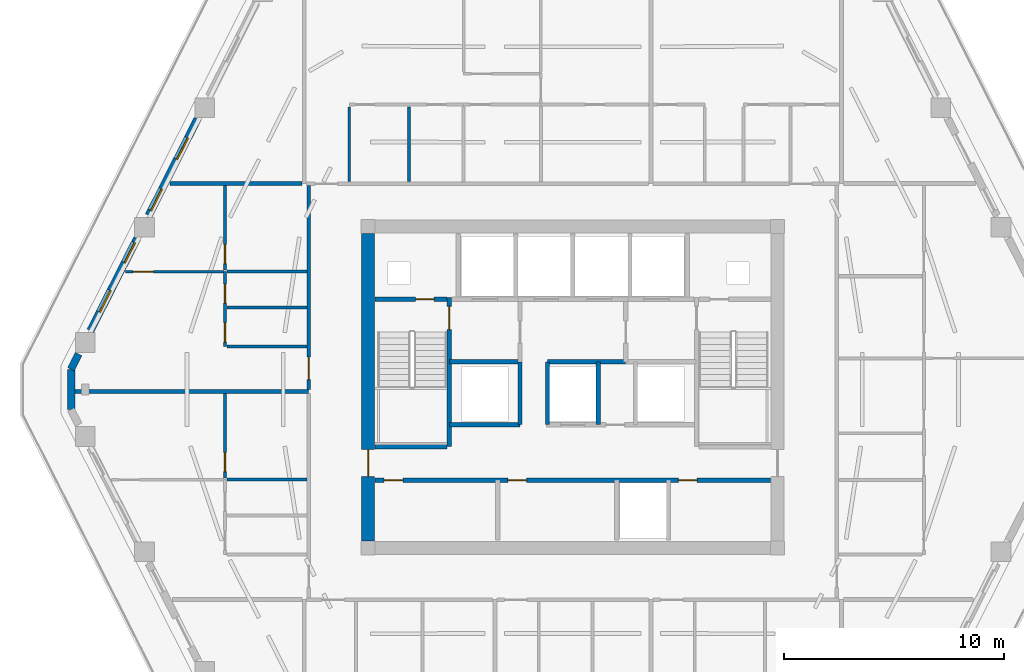
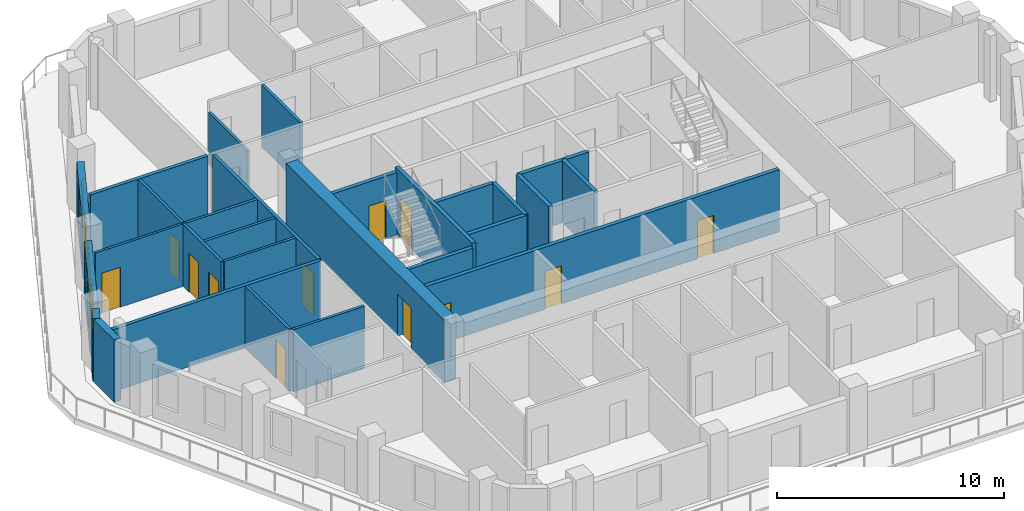
# One storey, part 4 of 10: 28 walls, 12 doors, 4 windows, 16 openings.
"""IFC4 building model written with IfcOpenShell, lengths in metres."""

import ifcopenshell
import ifcopenshell.guid

model = None  # the IFC model being written
_history = None  # IfcOwnerHistory: only IFC2X3 demands one
_inside = {}  # id of a spatial element -> (the spatial element, [elements in it])
_under = {}  # id of a project, library or spatial element -> (it, [spatial elements below it])
_declared = {}  # id of a project -> (the project, [libraries it declares])
_typed = {}  # id of a type object -> (the type object, [elements of that type])
_made_of = {}  # id of a material, layer set ... -> (it, [elements and type objects made of it])


def new_model(schema):
    """Start an empty IFC model of exactly this schema.

    Asked for "IFC4X3", IfcOpenShell would pick the latest addendum, in which some entities
    have other attributes; the version numbers below select the first issue.
    IFC2X3 requires an IfcOwnerHistory on every rooted entity: one is made here for all.
    """
    global model, _history
    if schema == "IFC4X3":
        model = ifcopenshell.file(schema_version=(4, 3, 0, 0))
    else:
        model = ifcopenshell.file(schema=schema)
    _inside.clear()
    _under.clear()
    _declared.clear()
    _typed.clear()
    _made_of.clear()
    _history = None
    if model.schema == "IFC2X3":
        org = make("IfcOrganization", Name="unknown")
        user = make(
            "IfcPersonAndOrganization",
            ThePerson=make("IfcPerson", FamilyName="unknown"),
            TheOrganization=org,
        )
        app = make(
            "IfcApplication",
            ApplicationDeveloper=org,
            Version="unknown",
            ApplicationFullName="unknown",
            ApplicationIdentifier="unknown",
        )
        _history = make(
            "IfcOwnerHistory",
            OwningUser=user,
            OwningApplication=app,
            ChangeAction="ADDED",
            CreationDate=0,
        )
    return model


def make(cls, **values):
    """One entity of the class cls with the attributes given. An attribute that is None is left unset."""
    return model.create_entity(
        cls, **{name: value for name, value in values.items() if value is not None}
    )


def rooted(cls, **values):
    """An entity with a GlobalId (a new one), such as an element, a storey or a relation."""
    return make(cls, GlobalId=ifcopenshell.guid.new(), OwnerHistory=_history, **values)


def si_unit(unit_type, name, prefix=None):
    """IfcSIUnit, for example si_unit("LENGTHUNIT", "METRE", prefix="MILLI")."""
    return make("IfcSIUnit", UnitType=unit_type, Prefix=prefix, Name=name)


def assignment(units):
    """IfcUnitAssignment: the units of a project."""
    return None if units is None else make("IfcUnitAssignment", Units=units)


def point(xyz):
    """IfcCartesianPoint."""
    return None if xyz is None else make("IfcCartesianPoint", Coordinates=xyz)


def direction(xyz):
    """IfcDirection."""
    return None if xyz is None else make("IfcDirection", DirectionRatios=xyz)


def frame(location, z_axis=None, x_axis=None):
    """IfcAxis2Placement3D, a coordinate frame: its origin and axes. An axis left out is left unset."""
    return make(
        "IfcAxis2Placement3D",
        Location=point(location),
        Axis=direction(z_axis),
        RefDirection=direction(x_axis),
    )


def frame_2d(location, x_axis=None):
    """IfcAxis2Placement2D, a coordinate frame in the plane: its origin and x axis."""
    return make(
        "IfcAxis2Placement2D", Location=point(location), RefDirection=direction(x_axis)
    )


def origin():
    """The frame at (0, 0, 0) with its axes left unset."""
    return frame((0.0, 0.0, 0.0))


def place(relative_to, where):
    """IfcLocalPlacement: puts the frame where relative to a parent placement (None: the world)."""
    return make(
        "IfcLocalPlacement", PlacementRelTo=relative_to, RelativePlacement=where
    )


def context(
    kind, dimensions, precision=None, world=None, true_north=None, identifier=None
):
    """IfcGeometricRepresentationContext, for example the 3D "Model" context."""
    return make(
        "IfcGeometricRepresentationContext",
        ContextIdentifier=identifier,
        ContextType=kind,
        CoordinateSpaceDimension=dimensions,
        Precision=precision,
        WorldCoordinateSystem=world,
        TrueNorth=true_north,
    )


def subcontext(parent, identifier, kind, view, scale=None):
    """IfcGeometricRepresentationSubContext, for example "Body" below "Model"."""
    return make(
        "IfcGeometricRepresentationSubContext",
        ContextIdentifier=identifier,
        ContextType=kind,
        ParentContext=parent,
        TargetScale=scale,
        TargetView=view,
    )


def project(units=None, contexts=None):
    """IfcProject with its units and contexts."""
    return rooted(
        "IfcProject",
        Name="project",
        RepresentationContexts=contexts,
        UnitsInContext=assignment(units),
    )


def spatial(cls, under=None, at=None, **own):
    """A site, building, storey or space (cls), placed at a placement, below another one or the project."""
    s = rooted(cls, ObjectPlacement=at, **own)
    if under is not None:
        _under.setdefault(under.id(), (under, []))[1].append(s)
    return s


def profile(cls, at=None, kind="AREA", **sizes):
    """A parametric profile (cls). Its sizes go by their IFC names, for example OverallWidth=200.0."""
    return make(cls, ProfileType=kind, Position=at, **sizes)


def rectangle(**sizes):
    """IfcRectangleProfileDef."""
    return profile("IfcRectangleProfileDef", **sizes)


def extrude(swept, where, along, depth):
    """IfcExtrudedAreaSolid: the profile swept, set in the frame where, extruded along a direction by depth."""
    return make(
        "IfcExtrudedAreaSolid",
        SweptArea=swept,
        Position=where,
        ExtrudedDirection=direction(along),
        Depth=depth,
    )


def shape(context_of_items, identifier, shape_type, items):
    """IfcShapeRepresentation: the items that make up one representation, for example the "Body"."""
    return make(
        "IfcShapeRepresentation",
        ContextOfItems=context_of_items,
        RepresentationIdentifier=identifier,
        RepresentationType=shape_type,
        Items=items,
    )


def material(Name=None, Category=None):
    """IfcMaterial."""
    return make("IfcMaterial", Name=Name, Category=Category)


def layer(
    of_material, thickness, ventilated=None, Name=None, Category=None, Priority=None
):
    """IfcMaterialLayer: one layer of a wall or slab, of a material (None: an air gap)."""
    return make(
        "IfcMaterialLayer",
        Material=of_material,
        LayerThickness=thickness,
        IsVentilated=ventilated,
        Name=Name,
        Category=Category,
        Priority=Priority,
    )


def layer_set(layers, Name=None):
    """IfcMaterialLayerSet."""
    return make("IfcMaterialLayerSet", MaterialLayers=layers, LayerSetName=Name)


def made_of(thing, what):
    """Note that an element or type object is made of a material, layer set ...; save() writes the relation."""
    if what is not None:
        _made_of.setdefault(what.id(), (what, []))[1].append(thing)
    return thing


def type_object(cls, material=None, **own):
    """A type object (cls), such as IfcWallType, which elements share."""
    return made_of(rooted(cls, **own), material)


def element(
    cls,
    number,
    at=None,
    inside=None,
    cuts=None,
    type_object=None,
    material=None,
    context=None,
    identifier="Body",
    shape_type=None,
    held_by="IfcProductDefinitionShape",
    body=None,
    shapes=None,
    **own,
):
    """One element of the class cls, such as IfcWall. Its Tag is "e" and its number.

    at: its placement. inside: the storey or other place that contains it. cuts: it is an
    opening in that element (IfcRelVoidsElement). A single representation is given by context,
    identifier, shape_type and body (its items); several are given by shapes. held_by: the class
    of the entity that holds the representations. save() writes the other relations.
    """
    e = rooted(cls, Tag="e%d" % number, ObjectPlacement=at, **own)
    if body is not None:
        shapes = [shape(context, identifier, shape_type, body)]
    if shapes is not None:
        e.Representation = make(held_by, Representations=shapes)
    if inside is not None:
        _inside.setdefault(inside.id(), (inside, []))[1].append(e)
    if cuts is not None:
        rooted(
            "IfcRelVoidsElement", RelatingBuildingElement=cuts, RelatedOpeningElement=e
        )
    if type_object is not None:
        _typed.setdefault(type_object.id(), (type_object, []))[1].append(e)
    return made_of(e, material)


def fill(opening, filler):
    """IfcRelFillsElement: the door or window that sits in an opening."""
    return rooted(
        "IfcRelFillsElement",
        RelatingOpeningElement=opening,
        RelatedBuildingElement=filler,
    )


def aggregate(whole, parts):
    """IfcRelAggregates: a whole, such as a stair, and the parts it consists of."""
    return rooted("IfcRelAggregates", RelatingObject=whole, RelatedObjects=parts)


def save(model, path):
    """Write the relations noted so far, then the file.

    IfcRelAggregates (storeys below a building ...), IfcRelContainedInSpatialStructure (elements
    in a storey), IfcRelDefinesByType, IfcRelAssociatesMaterial and IfcRelDeclares: one each for
    every whole, place, type object, material and project.
    """
    for whole, parts in _under.values():
        aggregate(whole, parts)
    for where, things in _inside.values():
        rooted(
            "IfcRelContainedInSpatialStructure",
            RelatedElements=things,
            RelatingStructure=where,
        )
    for kind, things in _typed.values():
        rooted("IfcRelDefinesByType", RelatedObjects=things, RelatingType=kind)
    for what, things in _made_of.values():
        rooted("IfcRelAssociatesMaterial", RelatedObjects=things, RelatingMaterial=what)
    for by, libraries in _declared.values():
        rooted("IfcRelDeclares", RelatingContext=by, RelatedDefinitions=libraries)
    model.write(path)


model = new_model("IFC4")

# Units and contexts
model_context = context("Model", 3, precision=1e-05, world=origin(), true_north=direction((0.0, 1.0)))
body_context = subcontext(model_context, "Body", "Model", "MODEL_VIEW")
ifc_project = project(units=[si_unit("LENGTHUNIT", "METRE"), si_unit("AREAUNIT", "SQUARE_METRE"), si_unit("VOLUMEUNIT", "CUBIC_METRE"), si_unit("PLANEANGLEUNIT", "RADIAN"), si_unit("MASSUNIT", "GRAM", prefix="KILO")], contexts=[model_context])

# Site, building, storey
site_placement = place(None, origin())
site = spatial("IfcSite", under=ifc_project, at=site_placement, CompositionType="ELEMENT")
building_placement = place(site_placement, origin())
building = spatial("IfcBuilding", under=site, at=building_placement, Name="Cinnabar Lancet Tower", CompositionType="ELEMENT")
storey_placement = place(building_placement, frame((0.0, 0.0, 171.89990234375)))
storey = spatial("IfcBuildingStorey", under=building, at=storey_placement, Name="L45", CompositionType="ELEMENT", Elevation=171.89990234375)

# Wall, opening, door
ifc_material_1 = material(Name="Acoustic twin-stud gypsum partition", Category="gypsum")
ifc_layer_1 = layer(ifc_material_1, 0.159912109375)
ifc_layer_set_1 = layer_set([ifc_layer_1], Name="Acoustic twin-stud gypsum partition")
wall_type_1 = type_object("IfcWallType", Name="ARC-WL-CORR-160", PredefinedType="PARTITIONING", material=ifc_layer_set_1)
wall_1_placement = place(storey_placement, frame((20.39990234375, 25.794921875, 0.0), z_axis=(0.0, 0.0, 1.0), x_axis=(0.0, 1.0, 0.0)))
wall_1 = element("IfcWall", 1, at=wall_1_placement, inside=storey, type_object=wall_type_1, Name="UW-L45-W02-COR", PredefinedType="PARTITIONING", context=body_context, shape_type="SweptSolid", body=[
    extrude(rectangle(XDim=9.260009765625, YDim=0.159912109375, at=frame_2d((4.6298828125, 0.0))), origin(), (0.0, 0.0, 1.0), 3.35009765625),
])
opening_1_placement = place(wall_1_placement, frame((0.449951171875, 0.0, 0.0)))
opening_1 = element("IfcOpeningElement", 2, at=opening_1_placement, cuts=wall_1, Name="Opening UD-01", PredefinedType="OPENING", context=body_context, shape_type="SweptSolid", body=[
    extrude(rectangle(XDim=1.02001953125, YDim=2.25, at=frame_2d((0.510009765625, 1.125))), frame((0.0, 0.08984375, 0.0), z_axis=(0.0, -1.0, 0.0), x_axis=(1.0, 0.0, 0.0)), (0.0, 0.0, 1.0), 0.179931640625),
])
ifc_material_2 = material(Name="Solid timber fire-rated apartment entrance door", Category="wood")
door_type_1 = type_object("IfcDoorType", Name="ARC-DR-UNIT", OperationType="NOTDEFINED", PredefinedType="DOOR", material=ifc_material_2)
door_1_placement = place(opening_1_placement, origin())
door_1 = element("IfcDoor", 3, at=door_1_placement, inside=storey, type_object=door_type_1, Name="DR-L45-W02-ENT", OperationType="SINGLE_SWING_RIGHT", OverallHeight=2.25, OverallWidth=1.02001953125, PredefinedType="DOOR", context=body_context, shape_type="SweptSolid", body=[
    extrude(rectangle(XDim=1.02001953125, YDim=2.25, at=frame_2d((0.510009765625, 1.125))), frame((0.0, 0.02490234375, 0.0), z_axis=(0.0, -1.0, 0.0), x_axis=(1.0, 0.0, 0.0)), (0.0, 0.0, 1.0), 0.050048828125),
])
fill(opening_1, door_1)

# Walls
ifc_material_3 = material(Name="Fire-rated twin-frame acoustic drywall", Category="gypsum")
ifc_layer_2 = layer(ifc_material_3, 0.179931640625)
ifc_layer_set_2 = layer_set([ifc_layer_2], Name="Fire-rated twin-frame acoustic drywall")
wall_type_2 = type_object("IfcWallType", Name="ARC-WL-PARTY-180", PredefinedType="PARTITIONING", material=ifc_layer_set_2)
wall_2_placement = place(storey_placement, frame((14.110107421875, 35.14990234375, 0.0), z_axis=(0.0, 0.0, 1.0), x_axis=(1.0, 0.0, 0.0)))
element("IfcWall", 4, at=wall_2_placement, inside=storey, type_object=wall_type_2, Name="PW-L45-WNB", PredefinedType="PARTITIONING", context=body_context, shape_type="SweptSolid", body=[
    extrude(rectangle(XDim=5.994873046875, YDim=0.179931640625, at=frame_2d((2.99755859375, 0.0))), origin(), (0.0, 0.0, 1.0), 3.35009765625),
])
wall_3_placement = place(storey_placement, frame((9.797119140625, 25.699951171875, 0.0), z_axis=(0.0, 0.0, 1.0), x_axis=(1.0, 0.0, 0.0)))
element("IfcWall", 5, at=wall_3_placement, inside=storey, type_object=wall_type_2, Name="PW-L45-WPTY-1", PredefinedType="PARTITIONING", context=body_context, shape_type="SweptSolid", body=[
    extrude(rectangle(XDim=10.602783203125, YDim=0.179931640625, at=frame_2d((5.30126953125, 0.0))), origin(), (0.0, 0.0, 1.0), 3.35009765625),
])
ifc_material_4 = material(Name="Autoclaved aerated concrete blockwork", Category="masonry")
ifc_layer_3 = layer(ifc_material_4, 0.199951171875)
ifc_layer_set_3 = layer_set([ifc_layer_3], Name="Autoclaved aerated concrete blockwork")
wall_type_3 = type_object("IfcWallType", Name="ARC-WL-SHAFT-200", PredefinedType="PLUMBINGWALL", material=ifc_layer_set_3)
wall_4_placement = place(storey_placement, frame((23.405029296875, 23.199951171875, 0.0), z_axis=(0.0, 0.0, 1.0), x_axis=(1.0, 0.0, 0.0)))
element("IfcWall", 6, at=wall_4_placement, inside=storey, type_object=wall_type_3, Name="CW-ST1S-L45", PredefinedType="PLUMBINGWALL", context=body_context, shape_type="SweptSolid", body=[
    extrude(rectangle(XDim=3.27001953125, YDim=0.199951171875, at=frame_2d((1.635009765625, 0.0))), origin(), (0.0, 0.0, 1.0), 3.35009765625),
])

# Wall, opening, door
wall_5_placement = place(storey_placement, frame((23.405029296875, 29.89990234375, 0.0), z_axis=(0.0, 0.0, 1.0), x_axis=(1.0, 0.0, 0.0)))
wall_5 = element("IfcWall", 7, at=wall_5_placement, inside=storey, type_object=wall_type_3, Name="CW-NSH-W-L45", PredefinedType="PLUMBINGWALL", context=body_context, shape_type="SweptSolid", body=[
    extrude(rectangle(XDim=3.27001953125, YDim=0.199951171875, at=frame_2d((1.635009765625, 0.0))), origin(), (0.0, 0.0, 1.0), 3.35009765625),
])
opening_2_placement = place(wall_5_placement, frame((1.85009765625, 0.0, 0.0)))
opening_2 = element("IfcOpeningElement", 8, at=opening_2_placement, cuts=wall_5, Name="Opening PD-02", PredefinedType="OPENING", context=body_context, shape_type="SweptSolid", body=[
    extrude(rectangle(XDim=0.85009765625, YDim=2.050048828125, at=frame_2d((0.425048828125, 1.02490234375))), frame((0.0, 0.10986328125, 0.0), z_axis=(0.0, -1.0, 0.0), x_axis=(1.0, 0.0, 0.0)), (0.0, 0.0, 1.0), 0.219970703125),
])
ifc_material_5 = material(Name="Fire-rated steel riser access door", Category="steel")
door_type_2 = type_object("IfcDoorType", Name="ARC-DR-RISER", OperationType="NOTDEFINED", PredefinedType="DOOR", material=ifc_material_5)
door_2_placement = place(opening_2_placement, origin())
door_2 = element("IfcDoor", 9, at=door_2_placement, inside=storey, type_object=door_type_2, Name="L45 West Riser Access Door", OperationType="SINGLE_SWING_LEFT", OverallHeight=2.050048828125, OverallWidth=0.85009765625, PredefinedType="DOOR", context=body_context, shape_type="SweptSolid", body=[
    extrude(rectangle(XDim=0.85009765625, YDim=2.050048828125, at=frame_2d((0.425048828125, 1.02490234375))), frame((0.0, 0.02490234375, 0.0), z_axis=(0.0, -1.0, 0.0), x_axis=(1.0, 0.0, 0.0)), (0.0, 0.0, 1.0), 0.050048828125),
])
fill(opening_2, door_2)

# Walls
for number, where, z_axis, x_axis, name in (
    (10, (26.800048828125, 27.050048828125, 0.0), (0.0, 0.0, 1.0), (1.0, 0.0, 0.0), "CW-FF1S-L45"),
    (11, (26.800048828125, 24.199951171875, 0.0), (0.0, 0.0, 1.0), (1.0, 0.0, 0.0), "CW-PL5S-L45"),
):
    element("IfcWall", number, at=place(storey_placement, frame(where, z_axis=z_axis, x_axis=x_axis)), inside=storey, type_object=wall_type_3, Name=name, PredefinedType="PLUMBINGWALL", context=body_context, shape_type="SweptSolid", body=[
        extrude(rectangle(XDim=3.199951171875, YDim=0.199951171875, at=frame_2d((1.60009765625, 0.0))), origin(), (0.0, 0.0, 1.0), 3.35009765625),
    ])
for number, where, z_axis, x_axis, name in (
    (12, (30.0, 24.199951171875, 0.0), (0.0, 0.0, 1.0), (0.0, 1.0, 0.0), "CW-PL5E-L45"),
    (13, (31.25, 24.199951171875, 0.0), (0.0, 0.0, 1.0), (0.0, 1.0, 0.0), "CW-PL9W-L45"),
    (14, (33.550048828125, 24.199951171875, 0.0), (0.0, 0.0, 1.0), (0.0, 1.0, 0.0), "CW-PL9E-L45"),
):
    element("IfcWall", number, at=place(storey_placement, frame(where, z_axis=z_axis, x_axis=x_axis)), inside=storey, type_object=wall_type_3, Name=name, PredefinedType="PLUMBINGWALL", context=body_context, shape_type="SweptSolid", body=[
        extrude(rectangle(XDim=2.85009765625, YDim=0.199951171875, at=frame_2d((1.425048828125, 0.0))), origin(), (0.0, 0.0, 1.0), 3.35009765625),
    ])
wall_6_placement = place(storey_placement, frame((31.25, 27.050048828125, 0.0), z_axis=(0.0, 0.0, 1.0), x_axis=(1.0, 0.0, 0.0)))
element("IfcWall", 15, at=wall_6_placement, inside=storey, type_object=wall_type_3, Name="CW-PL96N-L45", PredefinedType="PLUMBINGWALL", context=body_context, shape_type="SweptSolid", body=[
    extrude(rectangle(XDim=3.550048828125, YDim=0.199951171875, at=frame_2d((1.77490234375, 0.0))), origin(), (0.0, 0.0, 1.0), 3.35009765625),
])

# Wall, openings, doors
wall_7_placement = place(storey_placement, frame((23.419921875, 21.679931640625, 0.0), z_axis=(0.0, 0.0, 1.0), x_axis=(1.0, 0.0, 0.0)))
wall_7 = element("IfcWall", 16, at=wall_7_placement, inside=storey, type_object=wall_type_3, Name="CW-SBANDN-L45", PredefinedType="PLUMBINGWALL", context=body_context, shape_type="SweptSolid", body=[
    extrude(rectangle(XDim=17.9599609375, YDim=0.199951171875, at=frame_2d((8.97998046875, 0.0))), origin(), (0.0, 0.0, 1.0), 3.35009765625),
])
opening_3_placement = place(wall_7_placement, frame((0.409912109375, 0.0, 0.0)))
opening_3 = element("IfcOpeningElement", 17, at=opening_3_placement, cuts=wall_7, Name="Opening PD-02", PredefinedType="OPENING", context=body_context, shape_type="SweptSolid", body=[
    extrude(rectangle(XDim=0.85009765625, YDim=2.050048828125, at=frame_2d((0.425048828125, 1.02490234375))), frame((0.0, 0.10986328125, 0.0), z_axis=(0.0, -1.0, 0.0), x_axis=(1.0, 0.0, 0.0)), (0.0, 0.0, 1.0), 0.219970703125),
])
opening_4_placement = place(wall_7_placement, frame((6.030029296875, 0.0, 0.0)))
opening_4 = element("IfcOpeningElement", 18, at=opening_4_placement, cuts=wall_7, Name="Opening PD-02", PredefinedType="OPENING", context=body_context, shape_type="SweptSolid", body=[
    extrude(rectangle(XDim=0.85009765625, YDim=2.050048828125, at=frame_2d((0.425048828125, 1.02490234375))), frame((0.0, 0.10986328125, 0.0), z_axis=(0.0, -1.0, 0.0), x_axis=(1.0, 0.0, 0.0)), (0.0, 0.0, 1.0), 0.219970703125),
])
opening_5_placement = place(wall_7_placement, frame((13.780029296875, 0.0, 0.0)))
opening_5 = element("IfcOpeningElement", 19, at=opening_5_placement, cuts=wall_7, Name="Opening PD-02", PredefinedType="OPENING", context=body_context, shape_type="SweptSolid", body=[
    extrude(rectangle(XDim=0.85009765625, YDim=2.050048828125, at=frame_2d((0.425048828125, 1.02490234375))), frame((0.0, 0.10986328125, 0.0), z_axis=(0.0, -1.0, 0.0), x_axis=(1.0, 0.0, 0.0)), (0.0, 0.0, 1.0), 0.219970703125),
])
door_3_placement = place(opening_3_placement, origin())
door_3 = element("IfcDoor", 20, at=door_3_placement, inside=storey, type_object=door_type_2, Name="DR-L45-MREC1", OperationType="SINGLE_SWING_LEFT", OverallHeight=2.050048828125, OverallWidth=0.85009765625, PredefinedType="DOOR", context=body_context, shape_type="SweptSolid", body=[
    extrude(rectangle(XDim=0.85009765625, YDim=2.050048828125, at=frame_2d((0.425048828125, 1.02490234375))), frame((0.0, 0.02490234375, 0.0), z_axis=(0.0, -1.0, 0.0), x_axis=(1.0, 0.0, 0.0)), (0.0, 0.0, 1.0), 0.050048828125),
])
fill(opening_3, door_3)
door_4_placement = place(opening_4_placement, origin())
door_4 = element("IfcDoor", 21, at=door_4_placement, inside=storey, type_object=door_type_2, Name="DR-L45-MREC2", OperationType="SINGLE_SWING_RIGHT", OverallHeight=2.050048828125, OverallWidth=0.85009765625, PredefinedType="DOOR", context=body_context, shape_type="SweptSolid", body=[
    extrude(rectangle(XDim=0.85009765625, YDim=2.050048828125, at=frame_2d((0.425048828125, 1.02490234375))), frame((0.0, 0.02490234375, 0.0), z_axis=(0.0, -1.0, 0.0), x_axis=(1.0, 0.0, 0.0)), (0.0, 0.0, 1.0), 0.050048828125),
])
fill(opening_4, door_4)
door_5_placement = place(opening_5_placement, origin())
door_5 = element("IfcDoor", 22, at=door_5_placement, inside=storey, type_object=door_type_2, Name="DR-L45-MREC3", OperationType="SINGLE_SWING_LEFT", OverallHeight=2.050048828125, OverallWidth=0.85009765625, PredefinedType="DOOR", context=body_context, shape_type="SweptSolid", body=[
    extrude(rectangle(XDim=0.85009765625, YDim=2.050048828125, at=frame_2d((0.425048828125, 1.02490234375))), frame((0.0, 0.02490234375, 0.0), z_axis=(0.0, -1.0, 0.0), x_axis=(1.0, 0.0, 0.0)), (0.0, 0.0, 1.0), 0.050048828125),
])
fill(opening_5, door_5)

# Walls
ifc_material_6 = material(Name="Gypsum plasterboard stud partition", Category="gypsum")
ifc_layer_4 = layer(ifc_material_6, 0.125)
ifc_layer_set_4 = layer_set([ifc_layer_4], Name="Gypsum plasterboard stud partition")
wall_type_4 = type_object("IfcWallType", Name="ARC-WL-UNIT-125", PredefinedType="PARTITIONING", material=ifc_layer_set_4)
wall_8_placement = place(storey_placement, frame((22.25, 35.235107421875, 0.0), z_axis=(0.0, 0.0, 1.0), x_axis=(0.0, 1.0, 0.0)))
element("IfcWall", 23, at=wall_8_placement, inside=storey, type_object=wall_type_4, Name="UW-L45-N01-FOYE", PredefinedType="PARTITIONING", context=body_context, shape_type="SweptSolid", body=[
    extrude(rectangle(XDim=3.40478515625, YDim=0.125, at=frame_2d((1.702392578125, 0.0))), origin(), (0.0, 0.0, 1.0), 2.80712890625),
])
wall_9_placement = place(storey_placement, frame((16.68505859375, 27.75, 0.0), z_axis=(0.0, 0.0, 1.0), x_axis=(1.0, 0.0, 0.0)))
element("IfcWall", 24, at=wall_9_placement, inside=storey, type_object=wall_type_4, Name="UW-L45-W02-FOYN", PredefinedType="PARTITIONING", context=body_context, shape_type="SweptSolid", body=[
    extrude(rectangle(XDim=3.6298828125, YDim=0.125, at=frame_2d((1.81494140625, 0.0))), origin(), (0.0, 0.0, 1.0), 3.35009765625),
])

# Wall, opening, door
wall_10_placement = place(storey_placement, frame((12.071044921875, 31.14990234375, 0.0), z_axis=(0.0, 0.0, 1.0), x_axis=(1.0, 0.0, 0.0)))
wall_10 = element("IfcWall", 25, at=wall_10_placement, inside=storey, type_object=wall_type_4, Name="UW-L45-W02-MBN", PredefinedType="PARTITIONING", context=body_context, shape_type="SweptSolid", body=[
    extrude(rectangle(XDim=4.453857421875, YDim=0.125, at=frame_2d((2.22705078125, 0.0))), origin(), (0.0, 0.0, 1.0), 3.35009765625),
])
opening_6_placement = place(wall_10_placement, frame((0.35009765625, 0.0, 0.0)))
opening_6 = element("IfcOpeningElement", 26, at=opening_6_placement, cuts=wall_10, Name="Opening RD-01", PredefinedType="OPENING", context=body_context, shape_type="SweptSolid", body=[
    extrude(rectangle(XDim=0.919921875, YDim=2.14990234375, at=frame_2d((0.4599609375, 1.074951171875))), frame((0.0, 0.072509765625, 0.0), z_axis=(0.0, -1.0, 0.0), x_axis=(1.0, 0.0, 0.0)), (0.0, 0.0, 1.0), 0.14501953125),
])
ifc_material_7 = material(Name="Engineered timber bedroom door", Category="wood")
door_type_3 = type_object("IfcDoorType", Name="ARC-DR-ROOM", OperationType="NOTDEFINED", PredefinedType="DOOR", material=ifc_material_7)
door_6_placement = place(opening_6_placement, origin())
door_6 = element("IfcDoor", 27, at=door_6_placement, inside=storey, type_object=door_type_3, Name="DR-L45-W02-MBD", OperationType="SINGLE_SWING_RIGHT", OverallHeight=2.14990234375, OverallWidth=0.919921875, PredefinedType="DOOR", context=body_context, shape_type="SweptSolid", body=[
    extrude(rectangle(XDim=0.919921875, YDim=2.14990234375, at=frame_2d((0.4599609375, 1.074951171875))), frame((0.0, 0.02490234375, 0.0), z_axis=(0.0, -1.0, 0.0), x_axis=(1.0, 0.0, 0.0)), (0.0, 0.0, 1.0), 0.050048828125),
])
fill(opening_6, door_6)

# Wall
ifc_material_8 = material(Name="Moisture-resistant cement-board plumbing wall", Category="masonry")
ifc_layer_5 = layer(ifc_material_8, 0.139892578125)
ifc_layer_set_5 = layer_set([ifc_layer_5], Name="Moisture-resistant cement-board plumbing wall")
wall_type_5 = type_object("IfcWallType", Name="ARC-WL-WET-140", PredefinedType="PLUMBINGWALL", material=ifc_layer_set_5)
wall_11_placement = place(storey_placement, frame((24.949951171875, 35.235107421875, 0.0), z_axis=(0.0, 0.0, 1.0), x_axis=(0.0, 1.0, 0.0)))
element("IfcWall", 28, at=wall_11_placement, inside=storey, type_object=wall_type_5, Name="UW-L45-N01-KDV", PredefinedType="PLUMBINGWALL", context=body_context, shape_type="SweptSolid", body=[
    extrude(rectangle(XDim=3.40478515625, YDim=0.139892578125, at=frame_2d((1.702392578125, 0.0))), origin(), (0.0, 0.0, 1.0), 3.35009765625),
])

# Wall, opening, door
wall_12_placement = place(storey_placement, frame((16.60009765625, 21.77001953125, 0.0), z_axis=(0.0, 0.0, 1.0), x_axis=(0.0, 1.0, 0.0)))
wall_12 = element("IfcWall", 29, at=wall_12_placement, inside=storey, type_object=wall_type_5, Name="UW-L45-W01-SPM", PredefinedType="PLUMBINGWALL", context=body_context, shape_type="SweptSolid", body=[
    extrude(rectangle(XDim=3.8349609375, YDim=0.139892578125, at=frame_2d((1.91748046875, 0.0))), origin(), (0.0, 0.0, 1.0), 3.35009765625),
])
opening_7_placement = place(wall_12_placement, frame((0.300048828125, 0.0, 0.0)))
opening_7 = element("IfcOpeningElement", 30, at=opening_7_placement, cuts=wall_12, Name="Opening BD-01", PredefinedType="OPENING", context=body_context, shape_type="SweptSolid", body=[
    extrude(rectangle(XDim=0.860107421875, YDim=2.10009765625, at=frame_2d((0.43017578125, 1.050048828125))), frame((0.0, 0.079833984375, 0.0), z_axis=(0.0, -1.0, 0.0), x_axis=(1.0, 0.0, 0.0)), (0.0, 0.0, 1.0), 0.159912109375),
])
ifc_material_9 = material(Name="Moisture-resistant timber bathroom door", Category="wood")
door_type_4 = type_object("IfcDoorType", Name="ARC-DR-BATH", OperationType="NOTDEFINED", PredefinedType="DOOR", material=ifc_material_9)
door_7_placement = place(opening_7_placement, origin())
door_7 = element("IfcDoor", 31, at=door_7_placement, inside=storey, type_object=door_type_4, Name="DR-L45-W01-ENS", OperationType="SINGLE_SWING_LEFT", OverallHeight=2.10009765625, OverallWidth=0.860107421875, PredefinedType="DOOR", context=body_context, shape_type="SweptSolid", body=[
    extrude(rectangle(XDim=0.860107421875, YDim=2.10009765625, at=frame_2d((0.43017578125, 1.050048828125))), frame((0.0, 0.02490234375, 0.0), z_axis=(0.0, -1.0, 0.0), x_axis=(1.0, 0.0, 0.0)), (0.0, 0.0, 1.0), 0.050048828125),
])
fill(opening_7, door_7)

# Wall
wall_13_placement = place(storey_placement, frame((16.68505859375, 21.699951171875, 0.0), z_axis=(0.0, 0.0, 1.0), x_axis=(1.0, 0.0, 0.0)))
element("IfcWall", 32, at=wall_13_placement, inside=storey, type_object=wall_type_5, Name="UW-L45-W01-ENSN", PredefinedType="PLUMBINGWALL", context=body_context, shape_type="SweptSolid", body=[
    extrude(rectangle(XDim=3.6298828125, YDim=0.139892578125, at=frame_2d((1.81494140625, 0.0))), origin(), (0.0, 0.0, 1.0), 3.35009765625),
])

# Wall, openings, doors
wall_14_placement = place(storey_placement, frame((16.60009765625, 27.75, 0.0), z_axis=(0.0, 0.0, 1.0), x_axis=(0.0, 1.0, 0.0)))
wall_14 = element("IfcWall", 33, at=wall_14_placement, inside=storey, type_object=wall_type_5, Name="UW-L45-W02-SPL", PredefinedType="PLUMBINGWALL", context=body_context, shape_type="SweptSolid", body=[
    extrude(rectangle(XDim=3.39990234375, YDim=0.139892578125, at=frame_2d((1.699951171875, 0.0))), origin(), (0.0, 0.0, 1.0), 3.35009765625),
])
opening_8_placement = place(wall_14_placement, frame((0.199951171875, 0.0, 0.0)))
opening_8 = element("IfcOpeningElement", 34, at=opening_8_placement, cuts=wall_14, Name="Opening RD-02", PredefinedType="OPENING", context=body_context, shape_type="SweptSolid", body=[
    extrude(rectangle(XDim=0.8798828125, YDim=2.14990234375, at=frame_2d((0.43994140625, 1.074951171875))), frame((0.0, 0.079833984375, 0.0), z_axis=(0.0, -1.0, 0.0), x_axis=(1.0, 0.0, 0.0)), (0.0, 0.0, 1.0), 0.159912109375),
])
opening_9_placement = place(wall_14_placement, frame((1.968017578125, 0.0, 0.0)))
opening_9 = element("IfcOpeningElement", 35, at=opening_9_placement, cuts=wall_14, Name="Opening BD-01", PredefinedType="OPENING", context=body_context, shape_type="SweptSolid", body=[
    extrude(rectangle(XDim=0.860107421875, YDim=2.10009765625, at=frame_2d((0.43017578125, 1.050048828125))), frame((0.0, 0.079833984375, 0.0), z_axis=(0.0, -1.0, 0.0), x_axis=(1.0, 0.0, 0.0)), (0.0, 0.0, 1.0), 0.159912109375),
])
door_8_placement = place(opening_9_placement, origin())
door_8 = element("IfcDoor", 36, at=door_8_placement, inside=storey, type_object=door_type_4, Name="DR-L45-W02-BTH", OperationType="SINGLE_SWING_RIGHT", OverallHeight=2.10009765625, OverallWidth=0.860107421875, PredefinedType="DOOR", context=body_context, shape_type="SweptSolid", body=[
    extrude(rectangle(XDim=0.860107421875, YDim=2.10009765625, at=frame_2d((0.43017578125, 1.050048828125))), frame((0.0, 0.02490234375, 0.0), z_axis=(0.0, -1.0, 0.0), x_axis=(1.0, 0.0, 0.0)), (0.0, 0.0, 1.0), 0.050048828125),
])
fill(opening_9, door_8)
ifc_material_10 = material(Name="Engineered timber study door", Category="wood")
door_type_5 = type_object("IfcDoorType", Name="ARC-DR-STUDY", OperationType="NOTDEFINED", PredefinedType="DOOR", material=ifc_material_10)
door_9_placement = place(opening_8_placement, origin())
door_9 = element("IfcDoor", 37, at=door_9_placement, inside=storey, type_object=door_type_5, Name="DR-L45-W02-KIT", OperationType="SINGLE_SWING_LEFT", OverallHeight=2.14990234375, OverallWidth=0.8798828125, PredefinedType="DOOR", context=body_context, shape_type="SweptSolid", body=[
    extrude(rectangle(XDim=0.8798828125, YDim=2.14990234375, at=frame_2d((0.43994140625, 1.074951171875))), frame((0.0, 0.02490234375, 0.0), z_axis=(0.0, -1.0, 0.0), x_axis=(1.0, 0.0, 0.0)), (0.0, 0.0, 1.0), 0.050048828125),
])
fill(opening_8, door_9)

# Wall, opening, door
wall_15_placement = place(storey_placement, frame((16.60009765625, 31.219970703125, 0.0), z_axis=(0.0, 0.0, 1.0), x_axis=(0.0, 1.0, 0.0)))
wall_15 = element("IfcWall", 38, at=wall_15_placement, inside=storey, type_object=wall_type_5, Name="UW-L45-W02-SPM", PredefinedType="PLUMBINGWALL", context=body_context, shape_type="SweptSolid", body=[
    extrude(rectangle(XDim=3.8349609375, YDim=0.139892578125, at=frame_2d((1.91748046875, 0.0))), origin(), (0.0, 0.0, 1.0), 3.35009765625),
])
opening_10_placement = place(wall_15_placement, frame((0.300048828125, 0.0, 0.0)))
opening_10 = element("IfcOpeningElement", 39, at=opening_10_placement, cuts=wall_15, Name="Opening BD-01", PredefinedType="OPENING", context=body_context, shape_type="SweptSolid", body=[
    extrude(rectangle(XDim=0.860107421875, YDim=2.10009765625, at=frame_2d((0.43017578125, 1.050048828125))), frame((0.0, 0.079833984375, 0.0), z_axis=(0.0, -1.0, 0.0), x_axis=(1.0, 0.0, 0.0)), (0.0, 0.0, 1.0), 0.159912109375),
])
door_10_placement = place(opening_10_placement, origin())
door_10 = element("IfcDoor", 40, at=door_10_placement, inside=storey, type_object=door_type_4, Name="DR-L45-W02-ENS", OperationType="SINGLE_SWING_RIGHT", OverallHeight=2.10009765625, OverallWidth=0.860107421875, PredefinedType="DOOR", context=body_context, shape_type="SweptSolid", body=[
    extrude(rectangle(XDim=0.860107421875, YDim=2.10009765625, at=frame_2d((0.43017578125, 1.050048828125))), frame((0.0, 0.02490234375, 0.0), z_axis=(0.0, -1.0, 0.0), x_axis=(1.0, 0.0, 0.0)), (0.0, 0.0, 1.0), 0.050048828125),
])
fill(opening_10, door_10)

# Walls
for number, where, z_axis, x_axis, name in (
    (41, (16.68505859375, 31.14990234375, 0.0), (0.0, 0.0, 1.0), (1.0, 0.0, 0.0), "UW-L45-W02-ENSN"),
    (42, (16.68505859375, 29.51806640625, 0.0), (0.0, 0.0, 1.0), (1.0, 0.0, 0.0), "UW-L45-W02-KDV"),
):
    element("IfcWall", number, at=place(storey_placement, frame(where, z_axis=z_axis, x_axis=x_axis)), inside=storey, type_object=wall_type_5, Name=name, PredefinedType="PLUMBINGWALL", context=body_context, shape_type="SweptSolid", body=[
        extrude(rectangle(XDim=3.6298828125, YDim=0.139892578125, at=frame_2d((1.81494140625, 0.0))), origin(), (0.0, 0.0, 1.0), 3.35009765625),
    ])
ifc_material_11 = material(Name="Cinnabar red clay brick", Category="masonry")
ifc_layer_6 = layer(ifc_material_11, 0.340087890625)
ifc_layer_set_6 = layer_set([ifc_layer_6], Name="Cinnabar red clay brick")
wall_type_6 = type_object("IfcWallType", Name="ENV-WL-BRK-RED-340", PredefinedType="STANDARD", material=ifc_layer_set_6)
wall_16_placement = place(storey_placement, frame((9.6220703125, 26.7080078125, 0.0), z_axis=(0.0, 0.0, 1.0), x_axis=(0.0, -1.0, 0.0)))
element("IfcWall", 43, at=wall_16_placement, inside=storey, type_object=wall_type_6, Name="L45 Chamfered Corner Brick Pier 6.1", PredefinedType="STANDARD", context=body_context, shape_type="SweptSolid", body=[
    extrude(rectangle(XDim=1.81591796875, YDim=0.340087890625, at=frame_2d((0.907958984375, 0.0))), origin(), (0.0, 0.0, 1.0), 3.35009765625),
])

# Wall, openings, windows
wall_17_placement = place(storey_placement, frame((15.35205078125, 38.0830078125, 0.0), z_axis=(0.0, 0.0, 1.0), x_axis=(-0.451524246964, -0.89225884944, 0.0)))
wall_17 = element("IfcWall", 44, at=wall_17_placement, inside=storey, type_object=wall_type_6, Name="L45 Face 5 Masonry Bay Wall 3", PredefinedType="STANDARD", context=body_context, shape_type="SweptSolid", body=[
    extrude(rectangle(XDim=4.91015625, YDim=0.340087890625, at=frame_2d((2.455078125, 0.0))), origin(), (0.0, 0.0, 1.0), 2.883056640625),
])
opening_11_placement = place(wall_17_placement, frame((0.962890625, 0.0, 0.75)))
opening_11 = element("IfcOpeningElement", 45, at=opening_11_placement, cuts=wall_17, Name="Opening WN-04", PredefinedType="OPENING", context=body_context, shape_type="SweptSolid", body=[
    extrude(rectangle(XDim=1.10009765625, YDim=1.98291015625, at=frame_2d((0.550048828125, 0.991455078125))), frame((0.0, 0.179931640625, 0.0), z_axis=(0.0, -1.0, 0.0), x_axis=(1.0, 0.0, 0.0)), (0.0, 0.0, 1.0), 0.360107421875),
])
opening_12_placement = place(wall_17_placement, frame((3.569091796875, 0.0, 0.75)))
opening_12 = element("IfcOpeningElement", 46, at=opening_12_placement, cuts=wall_17, Name="Opening WN-04", PredefinedType="OPENING", context=body_context, shape_type="SweptSolid", body=[
    extrude(rectangle(XDim=1.10009765625, YDim=1.98291015625, at=frame_2d((0.550048828125, 0.991455078125))), frame((0.0, 0.179931640625, 0.0), z_axis=(0.0, -1.0, 0.0), x_axis=(1.0, 0.0, 0.0)), (0.0, 0.0, 1.0), 0.360107421875),
])
ifc_material_12 = material(Name="Thermally broken bronze-anodized aluminium tall lancet window", Category="aluminium")
window_type = type_object("IfcWindowType", Name="ENV-WN-LANCET-1100", PartitioningType="SINGLE_PANEL", PredefinedType="WINDOW", material=ifc_material_12)
window_1_placement = place(opening_11_placement, origin())
window_1 = element("IfcWindow", 47, at=window_1_placement, inside=storey, type_object=window_type, Name="L45 Face 5 Gothic Lancet Window 3", OverallHeight=1.98291015625, OverallWidth=1.10009765625, PartitioningType="SINGLE_PANEL", PredefinedType="WINDOW", context=body_context, shape_type="SweptSolid", body=[
    extrude(rectangle(XDim=1.10009765625, YDim=1.98291015625, at=frame_2d((0.550048828125, 0.991455078125))), frame((0.0, 0.030029296875, 0.0), z_axis=(0.0, -1.0, 0.0), x_axis=(1.0, 0.0, 0.0)), (0.0, 0.0, 1.0), 0.06005859375),
])
fill(opening_11, window_1)
window_2_placement = place(opening_12_placement, origin())
window_2 = element("IfcWindow", 48, at=window_2_placement, inside=storey, type_object=window_type, Name="L45 Split-Bay Gothic Lancet Window 131", OverallHeight=1.98291015625, OverallWidth=1.10009765625, PartitioningType="SINGLE_PANEL", PredefinedType="WINDOW", context=body_context, shape_type="SweptSolid", body=[
    extrude(rectangle(XDim=1.10009765625, YDim=1.98291015625, at=frame_2d((0.550048828125, 0.991455078125))), frame((0.0, 0.030029296875, 0.0), z_axis=(0.0, -1.0, 0.0), x_axis=(1.0, 0.0, 0.0)), (0.0, 0.0, 1.0), 0.06005859375),
])
fill(opening_12, window_2)

wall_18_placement = place(storey_placement, frame((12.60693359375, 32.656982421875, 0.0), z_axis=(0.0, 0.0, 1.0), x_axis=(-0.451426298588, -0.892308409096, 0.0)))
wall_18 = element("IfcWall", 49, at=wall_18_placement, inside=storey, type_object=wall_type_6, Name="L45 Face 5 Masonry Bay Wall 4", PredefinedType="STANDARD", context=body_context, shape_type="SweptSolid", body=[
    extrude(rectangle(XDim=4.7001953125, YDim=0.340087890625, at=frame_2d((2.35009765625, 0.0))), origin(), (0.0, 0.0, 1.0), 2.883056640625),
])
opening_13_placement = place(wall_18_placement, frame((0.219970703125, 0.0, 0.75)))
opening_13 = element("IfcOpeningElement", 50, at=opening_13_placement, cuts=wall_18, Name="Opening WN-04", PredefinedType="OPENING", context=body_context, shape_type="SweptSolid", body=[
    extrude(rectangle(XDim=1.027099609375, YDim=1.98291015625, at=frame_2d((0.513671875, 0.991455078125))), frame((0.0, 0.179931640625, 0.0), z_axis=(0.0, -1.0, 0.0), x_axis=(1.0, 0.0, 0.0)), (0.0, 0.0, 1.0), 0.360107421875),
])
opening_14_placement = place(wall_18_placement, frame((2.653076171875, 0.0, 0.75)))
opening_14 = element("IfcOpeningElement", 51, at=opening_14_placement, cuts=wall_18, Name="Opening WN-04", PredefinedType="OPENING", context=body_context, shape_type="SweptSolid", body=[
    extrude(rectangle(XDim=1.10009765625, YDim=1.98291015625, at=frame_2d((0.550048828125, 0.991455078125))), frame((0.0, 0.179931640625, 0.0), z_axis=(0.0, -1.0, 0.0), x_axis=(1.0, 0.0, 0.0)), (0.0, 0.0, 1.0), 0.360107421875),
])
window_3_placement = place(opening_13_placement, origin())
window_3 = element("IfcWindow", 52, at=window_3_placement, inside=storey, type_object=window_type, Name="L45 Face 5 Gothic Lancet Window 4", OverallHeight=1.98291015625, OverallWidth=1.027099609375, PartitioningType="SINGLE_PANEL", PredefinedType="WINDOW", context=body_context, shape_type="SweptSolid", body=[
    extrude(rectangle(XDim=1.027099609375, YDim=1.98291015625, at=frame_2d((0.513671875, 0.991455078125))), frame((0.0, 0.030029296875, 0.0), z_axis=(0.0, -1.0, 0.0), x_axis=(1.0, 0.0, 0.0)), (0.0, 0.0, 1.0), 0.06005859375),
])
fill(opening_13, window_3)
window_4_placement = place(opening_14_placement, origin())
window_4 = element("IfcWindow", 53, at=window_4_placement, inside=storey, type_object=window_type, Name="L45 Split-Bay Gothic Lancet Window 132", OverallHeight=1.98291015625, OverallWidth=1.10009765625, PartitioningType="SINGLE_PANEL", PredefinedType="WINDOW", context=body_context, shape_type="SweptSolid", body=[
    extrude(rectangle(XDim=1.10009765625, YDim=1.98291015625, at=frame_2d((0.550048828125, 0.991455078125))), frame((0.0, 0.030029296875, 0.0), z_axis=(0.0, -1.0, 0.0), x_axis=(1.0, 0.0, 0.0)), (0.0, 0.0, 1.0), 0.06005859375),
])
fill(opening_14, window_4)

# Wall
wall_19_placement = place(storey_placement, frame((9.948974609375, 27.403076171875, 0.0), z_axis=(0.0, 0.0, 1.0), x_axis=(-0.451262448184, -0.892391283496, 0.0)))
element("IfcWall", 54, at=wall_19_placement, inside=storey, type_object=wall_type_6, Name="L45 Face 5 Masonry Bay Wall 5", PredefinedType="STANDARD", context=body_context, shape_type="SweptSolid", body=[
    extrude(rectangle(XDim=0.77099609375, YDim=0.340087890625, at=frame_2d((0.385498046875, 0.0))), origin(), (0.0, 0.0, 1.0), 3.35009765625),
])

# Wall, opening, door
ifc_material_13 = material(Name="Concrete C60/75", Category="concrete")
ifc_layer_7 = layer(ifc_material_13, 0.60009765625)
ifc_layer_set_7 = layer_set([ifc_layer_7], Name="Concrete C60/75")
wall_type_7 = type_object("IfcWallType", Name="STR-WL-CORE-600", PredefinedType="SHEAR", material=ifc_layer_set_7)
wall_20_placement = place(storey_placement, frame((23.10009765625, 18.925048828125, 0.0), z_axis=(0.0, 0.0, 1.0), x_axis=(0.0, 1.0, 0.0)))
wall_20 = element("IfcWall", 55, at=wall_20_placement, inside=storey, type_object=wall_type_7, Name="L45 Core Shear Wall W", PredefinedType="SHEAR", context=body_context, shape_type="SweptSolid", body=[
    extrude(rectangle(XDim=13.949951171875, YDim=0.60009765625, at=frame_2d((6.97509765625, 0.0))), origin(), (0.0, 0.0, 1.0), 3.35009765625),
])
opening_15_placement = place(wall_20_placement, frame((2.9150390625, 0.0, 0.0)))
opening_15 = element("IfcOpeningElement", 56, at=opening_15_placement, cuts=wall_20, Name="Opening FD-02", PredefinedType="OPENING", context=body_context, shape_type="SweptSolid", body=[
    extrude(rectangle(XDim=1.219970703125, YDim=2.25, at=frame_2d((0.60986328125, 1.125))), frame((0.0, 0.31005859375, 0.0), z_axis=(0.0, -1.0, 0.0), x_axis=(1.0, 0.0, 0.0)), (0.0, 0.0, 1.0), 0.6201171875),
])
ifc_material_14 = material(Name="Fire-rated double-vision core portal door", Category="wood")
door_type_6 = type_object("IfcDoorType", Name="ARC-DR-CPORT", OperationType="NOTDEFINED", PredefinedType="DOOR", material=ifc_material_14)
door_11_placement = place(opening_15_placement, origin())
door_11 = element("IfcDoor", 57, at=door_11_placement, inside=storey, type_object=door_type_6, Name="L45 West Core Lobby Fire Door", OperationType="SINGLE_SWING_RIGHT", OverallHeight=2.25, OverallWidth=1.219970703125, PredefinedType="DOOR", context=body_context, shape_type="SweptSolid", body=[
    extrude(rectangle(XDim=1.219970703125, YDim=2.25, at=frame_2d((0.60986328125, 1.125))), frame((0.0, 0.02490234375, 0.0), z_axis=(0.0, -1.0, 0.0), x_axis=(1.0, 0.0, 0.0)), (0.0, 0.0, 1.0), 0.050048828125),
])
fill(opening_15, door_11)

ifc_material_15 = material(Name="Concrete C50/60", Category="concrete")
ifc_layer_8 = layer(ifc_material_15, 0.199951171875)
ifc_layer_set_8 = layer_set([ifc_layer_8], Name="Concrete C50/60")
wall_type_8 = type_object("IfcWallType", Name="STR-WL-STAIR-200", PredefinedType="SHEAR", material=ifc_layer_set_8)
wall_21_placement = place(storey_placement, frame((26.780029296875, 23.199951171875, 0.0), z_axis=(0.0, 0.0, 1.0), x_axis=(0.0, 1.0, 0.0)))
wall_21 = element("IfcWall", 58, at=wall_21_placement, inside=storey, type_object=wall_type_8, Name="L45 Stair ST-1 Structural Enclosure Wall", PredefinedType="SHEAR", context=body_context, shape_type="SweptSolid", body=[
    extrude(rectangle(XDim=6.780029296875, YDim=0.199951171875, at=frame_2d((3.39013671875, 0.0))), origin(), (0.0, 0.0, 1.0), 3.550048828125),
])
opening_16_placement = place(wall_21_placement, frame((5.320068359375, 0.0, 0.0)))
opening_16 = element("IfcOpeningElement", 59, at=opening_16_placement, cuts=wall_21, Name="Opening SD-01", PredefinedType="OPENING", context=body_context, shape_type="SweptSolid", body=[
    extrude(rectangle(XDim=1.050048828125, YDim=2.14990234375, at=frame_2d((0.52490234375, 1.074951171875))), frame((0.0, 0.10986328125, 0.0), z_axis=(0.0, -1.0, 0.0), x_axis=(1.0, 0.0, 0.0)), (0.0, 0.0, 1.0), 0.219970703125),
])
ifc_material_16 = material(Name="Fire-rated steel stair exit door", Category="steel")
door_type_7 = type_object("IfcDoorType", Name="ARC-DR-STAIR", OperationType="NOTDEFINED", PredefinedType="DOOR", material=ifc_material_16)
door_12_placement = place(opening_16_placement, origin())
door_12 = element("IfcDoor", 60, at=door_12_placement, inside=storey, type_object=door_type_7, Name="L45 Stair ST-1 Fire Door", OperationType="SINGLE_SWING_LEFT", OverallHeight=2.14990234375, OverallWidth=1.050048828125, PredefinedType="DOOR", context=body_context, shape_type="SweptSolid", body=[
    extrude(rectangle(XDim=1.050048828125, YDim=2.14990234375, at=frame_2d((0.52490234375, 1.074951171875))), frame((0.0, 0.02490234375, 0.0), z_axis=(0.0, -1.0, 0.0), x_axis=(1.0, 0.0, 0.0)), (0.0, 0.0, 1.0), 0.050048828125),
])
fill(opening_16, door_12)

save(model, "model.ifc")
